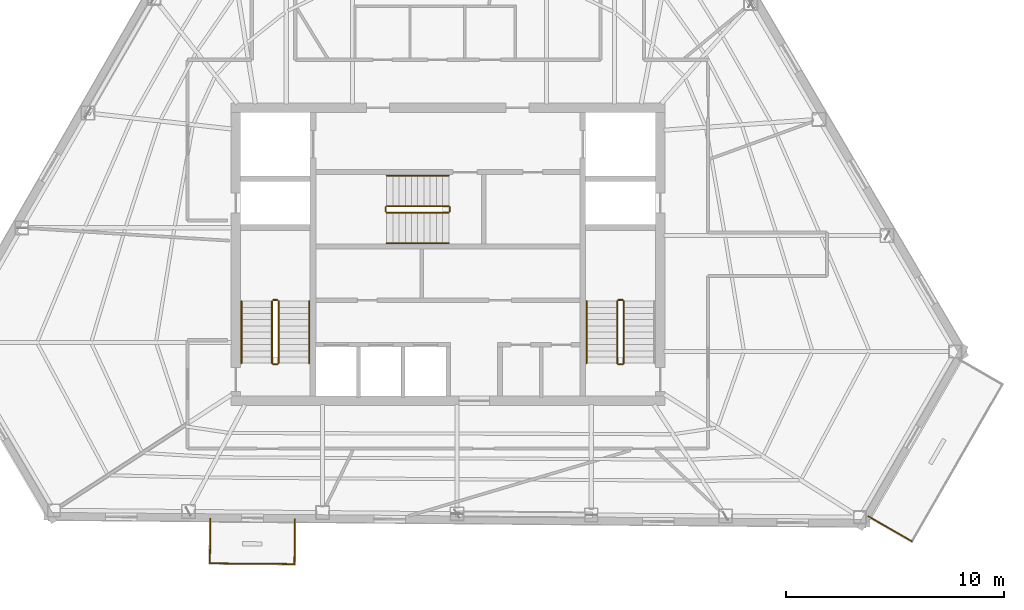
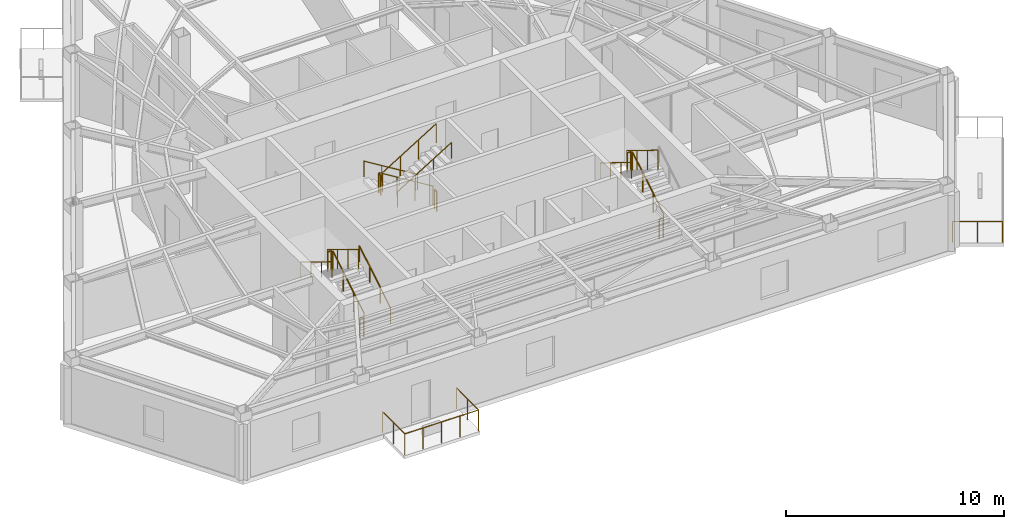
# One storey, part 11 of 12: 21 railings.
"""IFC4 building model written with IfcOpenShell, lengths in metres."""

from ifc_helpers import new_model, si_unit, direction, frame, origin, origin_2d, place, context, subcontext, project, spatial, circle, extrude, material, type_object, element, save


model = new_model("IFC4")

# Units and contexts
model_context = context("Model", 3, precision=1e-05, world=origin(), true_north=direction((0.0, 1.0)))
body_context = subcontext(model_context, "Body", "Model", "MODEL_VIEW")
ifc_project = project(units=[si_unit("LENGTHUNIT", "METRE"), si_unit("AREAUNIT", "SQUARE_METRE"), si_unit("VOLUMEUNIT", "CUBIC_METRE"), si_unit("PLANEANGLEUNIT", "RADIAN"), si_unit("MASSUNIT", "GRAM", prefix="KILO")], contexts=[model_context])

# Site, building, storey
site_placement = place(None, origin())
site = spatial("IfcSite", under=ifc_project, at=site_placement, CompositionType="ELEMENT")
building_placement = place(site_placement, origin())
building = spatial("IfcBuilding", under=site, at=building_placement, Name="Kavelnor Concourse Tower", CompositionType="ELEMENT")
storey_placement = place(building_placement, frame((0.0, 0.0, 191.949951171875)))
storey = spatial("IfcBuildingStorey", under=building, at=storey_placement, Name="L48", CompositionType="ELEMENT", Elevation=191.949951171875)

# Railings
ifc_material_1 = material(Name="Steel Grade 350", Category="steel")
railing_type_1 = type_object("IfcRailingType", Name="RLG-GUARD-1100", PredefinedType="GUARDRAIL", material=ifc_material_1)
railing_1_placement = place(storey_placement, frame((30.22998046875, 11.10009765625, 0.175048828125)))
element("IfcRailing", 1, at=railing_1_placement, inside=storey, type_object=railing_type_1, Name="L48 ST1 stair guard 1", PredefinedType="GUARDRAIL", context=body_context, shape_type="SweptSolid", body=[
    extrude(circle(Radius=0.02392578125, at=origin_2d()), frame((0.0, 0.0, 1.076171875), z_axis=(0.0, 0.852159232446, 0.523282564737), x_axis=(-1.0, 0.0, 0.0)), (0.0, 0.0, 1.0), 3.34423828125),
    extrude(circle(Radius=0.02099609375, at=origin_2d()), origin(), (0.0, 0.0, 1.0), 1.052001953125),
    extrude(circle(Radius=0.02099609375, at=origin_2d()), frame((0.0, 0.949951171875, 0.583251953125)), (0.0, 0.0, 1.0), 1.052001953125),
    extrude(circle(Radius=0.02099609375, at=origin_2d()), frame((0.0, 1.89990234375, 1.166748046875)), (0.0, 0.0, 1.0), 1.052001953125),
    extrude(circle(Radius=0.02099609375, at=origin_2d()), frame((0.0, 2.849853515625, 1.75)), (0.0, 0.0, 1.0), 1.052001953125),
])
railing_2_placement = place(storey_placement, frame((30.179931640625, 14.0, 1.925048828125)))
element("IfcRailing", 2, at=railing_2_placement, inside=storey, type_object=railing_type_1, Name="L48 ST1 stair guard 2", PredefinedType="GUARDRAIL", context=body_context, shape_type="SweptSolid", body=[
    extrude(circle(Radius=0.02392578125, at=origin_2d()), frame((0.0, 0.0, 1.076171875), z_axis=(-1.0, 0.0, 0.0), x_axis=(0.0, -1.0, 0.0)), (0.0, 0.0, 1.0), 0.199951171875),
    extrude(circle(Radius=0.02099609375, at=origin_2d()), origin(), (0.0, 0.0, 1.0), 1.052001953125),
    extrude(circle(Radius=0.02099609375, at=origin_2d()), frame((-0.199951171875, 0.0, 0.0)), (0.0, 0.0, 1.0), 1.052001953125),
])
railing_3_placement = place(storey_placement, frame((29.929931640625, 13.949951171875, 2.10009765625)))
element("IfcRailing", 3, at=railing_3_placement, inside=storey, type_object=railing_type_1, Name="L48 ST1 stair guard 3", PredefinedType="GUARDRAIL", context=body_context, shape_type="SweptSolid", body=[
    extrude(circle(Radius=0.02392578125, at=origin_2d()), frame((0.0, 0.0, 1.076171875), z_axis=(0.0, -0.852159232446, 0.523282564737), x_axis=(1.0, 0.0, 0.0)), (0.0, 0.0, 1.0), 3.34423828125),
    extrude(circle(Radius=0.02099609375, at=origin_2d()), origin(), (0.0, 0.0, 1.0), 1.052001953125),
    extrude(circle(Radius=0.02099609375, at=origin_2d()), frame((0.0, -0.949951171875, 0.583251953125)), (0.0, 0.0, 1.0), 1.052001953125),
    extrude(circle(Radius=0.02099609375, at=origin_2d()), frame((0.0, -1.89990234375, 1.166748046875)), (0.0, 0.0, 1.0), 1.052001953125),
    extrude(circle(Radius=0.02099609375, at=origin_2d()), frame((0.0, -2.849853515625, 1.75)), (0.0, 0.0, 1.0), 1.052001953125),
])
railing_4_placement = place(storey_placement, frame((30.179931640625, 11.050048828125, 0.0)))
element("IfcRailing", 4, at=railing_4_placement, inside=storey, type_object=railing_type_1, Name="L48 ST1 stair guard 4", PredefinedType="GUARDRAIL", context=body_context, shape_type="SweptSolid", body=[
    extrude(circle(Radius=0.02392578125, at=origin_2d()), frame((0.0, 0.0, 1.076171875), z_axis=(-1.0, 0.0, 0.0), x_axis=(0.0, -1.0, 0.0)), (0.0, 0.0, 1.0), 0.199951171875),
    extrude(circle(Radius=0.02099609375, at=origin_2d()), origin(), (0.0, 0.0, 1.0), 1.052001953125),
    extrude(circle(Radius=0.02099609375, at=origin_2d()), frame((-0.199951171875, 0.0, 0.0)), (0.0, 0.0, 1.0), 1.052001953125),
])
railing_5_placement = place(storey_placement, frame((46.070068359375, 11.10009765625, 0.175048828125)))
element("IfcRailing", 5, at=railing_5_placement, inside=storey, type_object=railing_type_1, Name="L48 ST2 stair guard 1", PredefinedType="GUARDRAIL", context=body_context, shape_type="SweptSolid", body=[
    extrude(circle(Radius=0.02392578125, at=origin_2d()), frame((0.0, 0.0, 1.076171875), z_axis=(0.0, 0.852159232446, 0.523282564737), x_axis=(-1.0, 0.0, 0.0)), (0.0, 0.0, 1.0), 3.34423828125),
    extrude(circle(Radius=0.02099609375, at=origin_2d()), origin(), (0.0, 0.0, 1.0), 1.052001953125),
    extrude(circle(Radius=0.02099609375, at=origin_2d()), frame((0.0, 0.949951171875, 0.583251953125)), (0.0, 0.0, 1.0), 1.052001953125),
    extrude(circle(Radius=0.02099609375, at=origin_2d()), frame((0.0, 1.89990234375, 1.166748046875)), (0.0, 0.0, 1.0), 1.052001953125),
    extrude(circle(Radius=0.02099609375, at=origin_2d()), frame((0.0, 2.849853515625, 1.75)), (0.0, 0.0, 1.0), 1.052001953125),
])
railing_6_placement = place(storey_placement, frame((46.02001953125, 14.0, 1.925048828125)))
element("IfcRailing", 6, at=railing_6_placement, inside=storey, type_object=railing_type_1, Name="L48 ST2 stair guard 2", PredefinedType="GUARDRAIL", context=body_context, shape_type="SweptSolid", body=[
    extrude(circle(Radius=0.02392578125, at=origin_2d()), frame((0.0, 0.0, 1.076171875), z_axis=(-1.0, 0.0, 0.0), x_axis=(0.0, -1.0, 0.0)), (0.0, 0.0, 1.0), 0.199951171875),
    extrude(circle(Radius=0.02099609375, at=origin_2d()), origin(), (0.0, 0.0, 1.0), 1.052001953125),
    extrude(circle(Radius=0.02099609375, at=origin_2d()), frame((-0.199951171875, 0.0, 0.0)), (0.0, 0.0, 1.0), 1.052001953125),
])
railing_7_placement = place(storey_placement, frame((45.77001953125, 13.949951171875, 2.10009765625)))
element("IfcRailing", 7, at=railing_7_placement, inside=storey, type_object=railing_type_1, Name="L48 ST2 stair guard 3", PredefinedType="GUARDRAIL", context=body_context, shape_type="SweptSolid", body=[
    extrude(circle(Radius=0.02392578125, at=origin_2d()), frame((0.0, 0.0, 1.076171875), z_axis=(0.0, -0.852159232446, 0.523282564737), x_axis=(1.0, 0.0, 0.0)), (0.0, 0.0, 1.0), 3.34423828125),
    extrude(circle(Radius=0.02099609375, at=origin_2d()), origin(), (0.0, 0.0, 1.0), 1.052001953125),
    extrude(circle(Radius=0.02099609375, at=origin_2d()), frame((0.0, -0.949951171875, 0.583251953125)), (0.0, 0.0, 1.0), 1.052001953125),
    extrude(circle(Radius=0.02099609375, at=origin_2d()), frame((0.0, -1.89990234375, 1.166748046875)), (0.0, 0.0, 1.0), 1.052001953125),
    extrude(circle(Radius=0.02099609375, at=origin_2d()), frame((0.0, -2.849853515625, 1.75)), (0.0, 0.0, 1.0), 1.052001953125),
])
railing_8_placement = place(storey_placement, frame((46.02001953125, 11.050048828125, 0.0)))
element("IfcRailing", 8, at=railing_8_placement, inside=storey, type_object=railing_type_1, Name="L48 ST2 stair guard 4", PredefinedType="GUARDRAIL", context=body_context, shape_type="SweptSolid", body=[
    extrude(circle(Radius=0.02392578125, at=origin_2d()), frame((0.0, 0.0, 1.076171875), z_axis=(-1.0, 0.0, 0.0), x_axis=(0.0, -1.0, 0.0)), (0.0, 0.0, 1.0), 0.199951171875),
    extrude(circle(Radius=0.02099609375, at=origin_2d()), origin(), (0.0, 0.0, 1.0), 1.052001953125),
    extrude(circle(Radius=0.02099609375, at=origin_2d()), frame((-0.199951171875, 0.0, 0.0)), (0.0, 0.0, 1.0), 1.052001953125),
])
railing_9_placement = place(storey_placement, frame((38.0400390625, 18.31005859375, 0.175048828125)))
element("IfcRailing", 9, at=railing_9_placement, inside=storey, type_object=railing_type_1, Name="L48 ST3 stair guard 1", PredefinedType="GUARDRAIL", context=body_context, shape_type="SweptSolid", body=[
    extrude(circle(Radius=0.02392578125, at=origin_2d()), frame((0.0, 0.0, 1.076171875), z_axis=(-0.852179220489, 0.0, 0.52325001306), x_axis=(0.0, -1.0, 0.0)), (0.0, 0.0, 1.0), 3.344482421875),
    extrude(circle(Radius=0.02099609375, at=origin_2d()), origin(), (0.0, 0.0, 1.0), 1.052001953125),
    extrude(circle(Radius=0.02099609375, at=origin_2d()), frame((-0.949951171875, 0.0, 0.583251953125)), (0.0, 0.0, 1.0), 1.052001953125),
    extrude(circle(Radius=0.02099609375, at=origin_2d()), frame((-1.900146484375, 0.0, 1.166748046875)), (0.0, 0.0, 1.0), 1.052001953125),
    extrude(circle(Radius=0.02099609375, at=origin_2d()), frame((-2.85009765625, 0.0, 1.75)), (0.0, 0.0, 1.0), 1.052001953125),
])
railing_10_placement = place(storey_placement, frame((35.139892578125, 18.260009765625, 1.925048828125)))
element("IfcRailing", 10, at=railing_10_placement, inside=storey, type_object=railing_type_1, Name="L48 ST3 stair guard 2", PredefinedType="GUARDRAIL", context=body_context, shape_type="SweptSolid", body=[
    extrude(circle(Radius=0.02392578125, at=origin_2d()), frame((0.0, 0.0, 1.076171875), z_axis=(0.0, -1.0, 0.0), x_axis=(1.0, 0.0, 0.0)), (0.0, 0.0, 1.0), 0.199951171875),
    extrude(circle(Radius=0.02099609375, at=origin_2d()), origin(), (0.0, 0.0, 1.0), 1.052001953125),
    extrude(circle(Radius=0.02099609375, at=origin_2d()), frame((0.0, -0.199951171875, 0.0)), (0.0, 0.0, 1.0), 1.052001953125),
])
railing_11_placement = place(storey_placement, frame((35.18994140625, 18.010009765625, 2.10009765625)))
element("IfcRailing", 11, at=railing_11_placement, inside=storey, type_object=railing_type_1, Name="L48 ST3 stair guard 3", PredefinedType="GUARDRAIL", context=body_context, shape_type="SweptSolid", body=[
    extrude(circle(Radius=0.02392578125, at=origin_2d()), frame((0.0, 0.0, 1.076171875), z_axis=(0.852179220489, 0.0, 0.52325001306), x_axis=(0.0, 1.0, 0.0)), (0.0, 0.0, 1.0), 3.344482421875),
    extrude(circle(Radius=0.02099609375, at=origin_2d()), origin(), (0.0, 0.0, 1.0), 1.052001953125),
    extrude(circle(Radius=0.02099609375, at=origin_2d()), frame((0.949951171875, 0.0, 0.583251953125)), (0.0, 0.0, 1.0), 1.052001953125),
    extrude(circle(Radius=0.02099609375, at=origin_2d()), frame((1.900146484375, 0.0, 1.166748046875)), (0.0, 0.0, 1.0), 1.052001953125),
    extrude(circle(Radius=0.02099609375, at=origin_2d()), frame((2.85009765625, 0.0, 1.75)), (0.0, 0.0, 1.0), 1.052001953125),
])
railing_12_placement = place(storey_placement, frame((38.090087890625, 18.260009765625, 0.0)))
element("IfcRailing", 12, at=railing_12_placement, inside=storey, type_object=railing_type_1, Name="L48 ST3 stair guard 4", PredefinedType="GUARDRAIL", context=body_context, shape_type="SweptSolid", body=[
    extrude(circle(Radius=0.02392578125, at=origin_2d()), frame((0.0, 0.0, 1.076171875), z_axis=(0.0, -1.0, 0.0), x_axis=(1.0, 0.0, 0.0)), (0.0, 0.0, 1.0), 0.199951171875),
    extrude(circle(Radius=0.02099609375, at=origin_2d()), origin(), (0.0, 0.0, 1.0), 1.052001953125),
    extrude(circle(Radius=0.02099609375, at=origin_2d()), frame((0.0, -0.199951171875, 0.0)), (0.0, 0.0, 1.0), 1.052001953125),
])
railing_type_2 = type_object("IfcRailingType", Name="RLG-HANDRAIL-900", PredefinedType="HANDRAIL", material=ifc_material_1)
railing_13_placement = place(storey_placement, frame((31.6298828125, 11.10009765625, 0.175048828125)))
element("IfcRailing", 13, at=railing_13_placement, inside=storey, type_object=railing_type_2, Name="L48 ST1 stair handrail 1", PredefinedType="HANDRAIL", context=body_context, shape_type="SweptSolid", body=[
    extrude(circle(Radius=0.02392578125, at=origin_2d()), frame((0.0, 0.0, 0.8759765625), z_axis=(0.0, 0.852159232446, 0.523282564737), x_axis=(-1.0, 0.0, 0.0)), (0.0, 0.0, 1.0), 3.34423828125),
    extrude(circle(Radius=0.02099609375, at=origin_2d()), origin(), (0.0, 0.0, 1.0), 0.851806640625),
    extrude(circle(Radius=0.02099609375, at=origin_2d()), frame((0.0, 0.949951171875, 0.583251953125)), (0.0, 0.0, 1.0), 0.851806640625),
    extrude(circle(Radius=0.02099609375, at=origin_2d()), frame((0.0, 1.89990234375, 1.166748046875)), (0.0, 0.0, 1.0), 0.851806640625),
    extrude(circle(Radius=0.02099609375, at=origin_2d()), frame((0.0, 2.849853515625, 1.75)), (0.0, 0.0, 1.0), 0.851806640625),
])
for number, where, name in (
    (14, (28.530029296875, 13.949951171875, 2.10009765625), "L48 ST1 stair handrail 2"),
    (15, (44.3701171875, 13.949951171875, 2.10009765625), "L48 ST2 stair handrail 2"),
):
    element("IfcRailing", number, at=place(storey_placement, frame(where)), inside=storey, type_object=railing_type_2, Name=name, PredefinedType="HANDRAIL", context=body_context, shape_type="SweptSolid", body=[
        extrude(circle(Radius=0.02392578125, at=origin_2d()), frame((0.0, 0.0, 0.8759765625), z_axis=(0.0, -0.852159232446, 0.523282564737), x_axis=(1.0, 0.0, 0.0)), (0.0, 0.0, 1.0), 3.34423828125),
        extrude(circle(Radius=0.02099609375, at=origin_2d()), origin(), (0.0, 0.0, 1.0), 0.851806640625),
        extrude(circle(Radius=0.02099609375, at=origin_2d()), frame((0.0, -0.949951171875, 0.583251953125)), (0.0, 0.0, 1.0), 0.851806640625),
        extrude(circle(Radius=0.02099609375, at=origin_2d()), frame((0.0, -1.89990234375, 1.166748046875)), (0.0, 0.0, 1.0), 0.851806640625),
        extrude(circle(Radius=0.02099609375, at=origin_2d()), frame((0.0, -2.849853515625, 1.75)), (0.0, 0.0, 1.0), 0.851806640625),
    ])
railing_14_placement = place(storey_placement, frame((38.0400390625, 19.7099609375, 0.175048828125)))
element("IfcRailing", 16, at=railing_14_placement, inside=storey, type_object=railing_type_2, Name="L48 ST3 stair handrail 1", PredefinedType="HANDRAIL", context=body_context, shape_type="SweptSolid", body=[
    extrude(circle(Radius=0.02392578125, at=origin_2d()), frame((0.0, 0.0, 0.8759765625), z_axis=(-0.852179220489, 0.0, 0.52325001306), x_axis=(0.0, -1.0, 0.0)), (0.0, 0.0, 1.0), 3.344482421875),
    extrude(circle(Radius=0.02099609375, at=origin_2d()), origin(), (0.0, 0.0, 1.0), 0.851806640625),
    extrude(circle(Radius=0.02099609375, at=origin_2d()), frame((-0.949951171875, 0.0, 0.583251953125)), (0.0, 0.0, 1.0), 0.851806640625),
    extrude(circle(Radius=0.02099609375, at=origin_2d()), frame((-1.900146484375, 0.0, 1.166748046875)), (0.0, 0.0, 1.0), 0.851806640625),
    extrude(circle(Radius=0.02099609375, at=origin_2d()), frame((-2.85009765625, 0.0, 1.75)), (0.0, 0.0, 1.0), 0.851806640625),
])
railing_15_placement = place(storey_placement, frame((35.18994140625, 16.610107421875, 2.10009765625)))
element("IfcRailing", 17, at=railing_15_placement, inside=storey, type_object=railing_type_2, Name="L48 ST3 stair handrail 2", PredefinedType="HANDRAIL", context=body_context, shape_type="SweptSolid", body=[
    extrude(circle(Radius=0.02392578125, at=origin_2d()), frame((0.0, 0.0, 0.8759765625), z_axis=(0.852179220489, 0.0, 0.52325001306), x_axis=(0.0, 1.0, 0.0)), (0.0, 0.0, 1.0), 3.344482421875),
    extrude(circle(Radius=0.02099609375, at=origin_2d()), origin(), (0.0, 0.0, 1.0), 0.851806640625),
    extrude(circle(Radius=0.02099609375, at=origin_2d()), frame((0.949951171875, 0.0, 0.583251953125)), (0.0, 0.0, 1.0), 0.851806640625),
    extrude(circle(Radius=0.02099609375, at=origin_2d()), frame((1.900146484375, 0.0, 1.166748046875)), (0.0, 0.0, 1.0), 0.851806640625),
    extrude(circle(Radius=0.02099609375, at=origin_2d()), frame((2.85009765625, 0.0, 1.75)), (0.0, 0.0, 1.0), 0.851806640625),
])
ifc_material_2 = material(Name="Architectural bronze-anodised aluminium", Category="aluminium")
railing_type_3 = type_object("IfcRailingType", Name="RLG-TERRACE-1200", PredefinedType="BALUSTRADE", material=ifc_material_2)
railing_16_placement = place(storey_placement, frame((57.29248046875, 4.07080078125, 0.0)))
element("IfcRailing", 18, at=railing_16_placement, inside=storey, type_object=railing_type_3, Name="L48 Spiral Terrace Guardrail L", PredefinedType="BALUSTRADE", context=body_context, shape_type="SweptSolid", body=[
    extrude(circle(Radius=0.02392578125, at=origin_2d()), frame((0.0, 0.0, 1.17578125), z_axis=(0.866625238435, -0.498959613703, 0.0), x_axis=(0.498959613703, 0.866625238435, 0.0)), (0.0, 0.0, 1.0), 2.30029296875),
    extrude(circle(Radius=0.02099609375, at=origin_2d()), origin(), (0.0, 0.0, 1.0), 1.15185546875),
    extrude(circle(Radius=0.02099609375, at=origin_2d()), frame((0.99658203125, -0.57373046875, 0.0)), (0.0, 0.0, 1.0), 1.15185546875),
    extrude(circle(Radius=0.02099609375, at=origin_2d()), frame((1.993408203125, -1.147705078125, 0.0)), (0.0, 0.0, 1.0), 1.15185546875),
])
railing_17_placement = place(storey_placement, frame((27.09765625, 3.965087890625, 0.0)))
element("IfcRailing", 19, at=railing_17_placement, inside=storey, type_object=railing_type_3, Name="L48 Tree Balcony 2 Guardrail L", PredefinedType="BALUSTRADE", context=body_context, shape_type="SweptSolid", body=[
    extrude(circle(Radius=0.02392578125, at=origin_2d()), frame((0.0, 0.0, 1.17578125), z_axis=(-0.008575196847, -0.999963232324, 0.0), x_axis=(0.999963232324, -0.008575196847, 0.0)), (0.0, 0.0, 1.0), 2.0498046875),
    extrude(circle(Radius=0.02099609375, at=origin_2d()), origin(), (0.0, 0.0, 1.0), 1.15185546875),
    extrude(circle(Radius=0.02099609375, at=origin_2d()), frame((-0.0087890625, -1.02490234375, 0.0)), (0.0, 0.0, 1.0), 1.15185546875),
    extrude(circle(Radius=0.02099609375, at=origin_2d()), frame((-0.017578125, -2.0498046875, 0.0)), (0.0, 0.0, 1.0), 1.15185546875),
])
railing_18_placement = place(storey_placement, frame((27.080078125, 1.915283203125, 0.0)))
element("IfcRailing", 20, at=railing_18_placement, inside=storey, type_object=railing_type_3, Name="L48 Tree Balcony 2 Guardrail F", PredefinedType="BALUSTRADE", context=body_context, shape_type="SweptSolid", body=[
    extrude(circle(Radius=0.02392578125, at=origin_2d()), frame((0.0, 0.0, 1.17578125), z_axis=(0.999963384341, -0.008557451565, 0.0), x_axis=(0.008557451565, 0.999963384341, 0.0)), (0.0, 0.0, 1.0), 3.880126953125),
    extrude(circle(Radius=0.02099609375, at=origin_2d()), origin(), (0.0, 0.0, 1.0), 1.15185546875),
    extrude(circle(Radius=0.02099609375, at=origin_2d()), frame((0.969970703125, -0.00830078125, 0.0)), (0.0, 0.0, 1.0), 1.15185546875),
    extrude(circle(Radius=0.02099609375, at=origin_2d()), frame((1.93994140625, -0.0166015625, 0.0)), (0.0, 0.0, 1.0), 1.15185546875),
    extrude(circle(Radius=0.02099609375, at=origin_2d()), frame((2.909912109375, -0.02490234375, 0.0)), (0.0, 0.0, 1.0), 1.15185546875),
    extrude(circle(Radius=0.02099609375, at=origin_2d()), frame((3.8798828125, -0.033203125, 0.0)), (0.0, 0.0, 1.0), 1.15185546875),
])
railing_19_placement = place(storey_placement, frame((30.9599609375, 1.882080078125, 0.0)))
element("IfcRailing", 21, at=railing_19_placement, inside=storey, type_object=railing_type_3, Name="L48 Tree Balcony 2 Guardrail R", PredefinedType="BALUSTRADE", context=body_context, shape_type="SweptSolid", body=[
    extrude(circle(Radius=0.02392578125, at=origin_2d()), frame((0.0, 0.0, 1.17578125), z_axis=(0.008574175701, 0.99996324108, 0.0), x_axis=(-0.99996324108, 0.008574175701, 0.0)), (0.0, 0.0, 1.0), 2.050048828125),
    extrude(circle(Radius=0.02099609375, at=origin_2d()), origin(), (0.0, 0.0, 1.0), 1.15185546875),
    extrude(circle(Radius=0.02099609375, at=origin_2d()), frame((0.0087890625, 1.02490234375, 0.0)), (0.0, 0.0, 1.0), 1.15185546875),
    extrude(circle(Radius=0.02099609375, at=origin_2d()), frame((0.017578125, 2.050048828125, 0.0)), (0.0, 0.0, 1.0), 1.15185546875),
])

save(model, "model.ifc")
